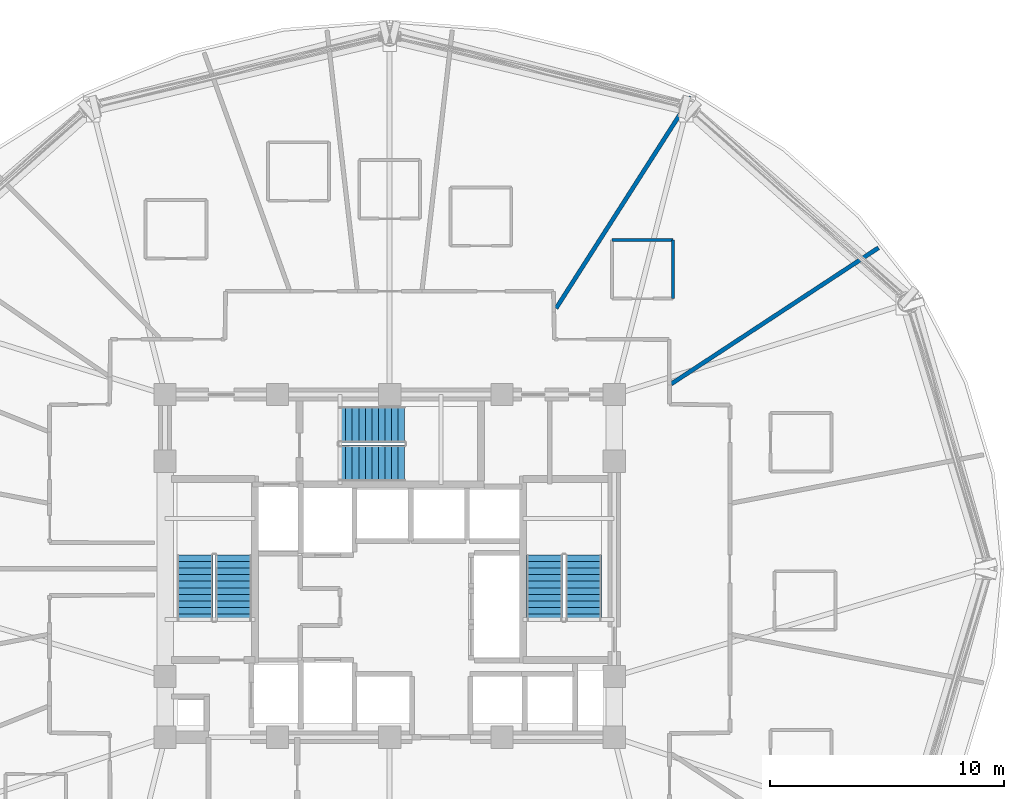
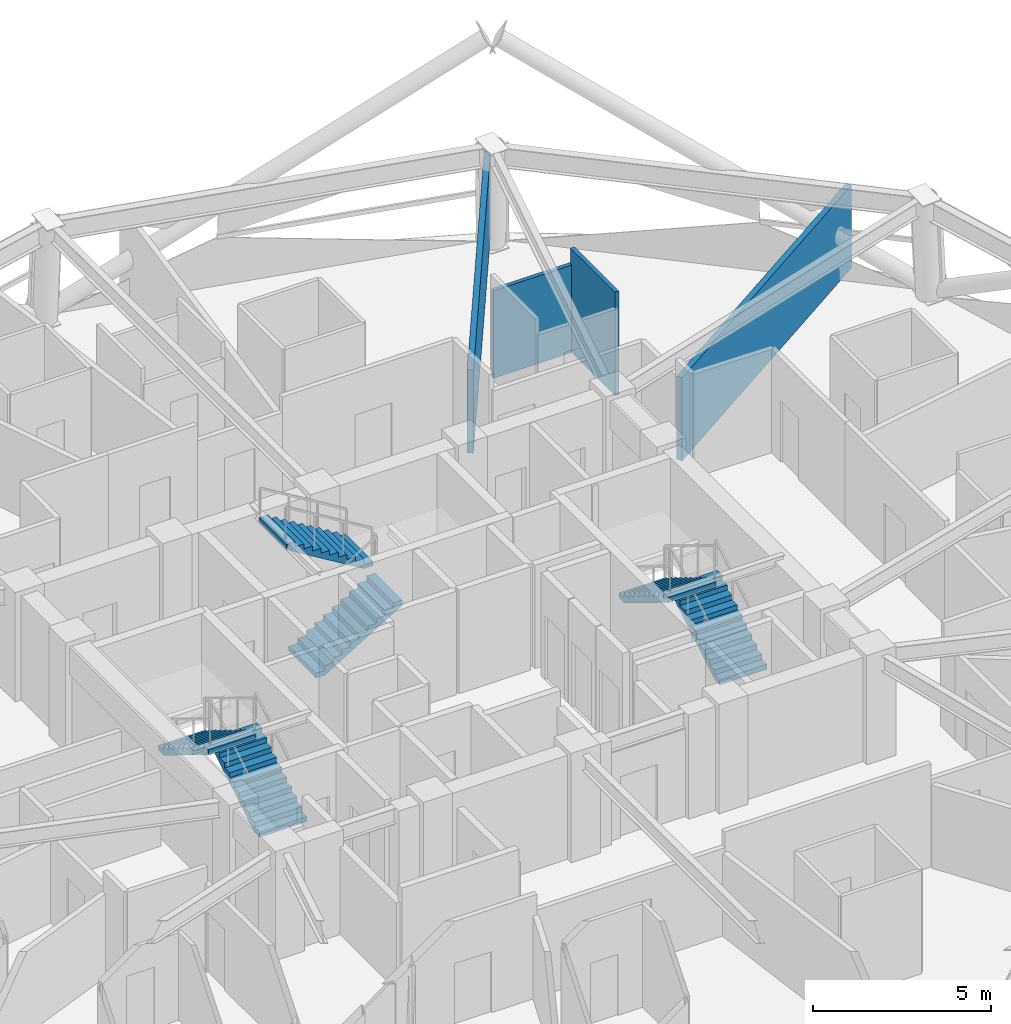
# One storey, part 10 of 14: 6 stair flights, 4 walls, 3 elements without a shape of their own.
"""IFC4 building model written with IfcOpenShell, lengths in metres."""

from ifc_helpers import new_model, si_unit, direction, frame, frame_2d, origin, place, context, subcontext, project, spatial, polyline, rectangle, outline, extrude, material, layer, layer_set, type_object, element, aggregate, save


model = new_model("IFC4")

# Units and contexts
model_context = context("Model", 3, precision=1e-05, world=origin(), true_north=direction((0.0, 1.0)))
body_context = subcontext(model_context, "Body", "Model", "MODEL_VIEW")
ifc_project = project(units=[si_unit("LENGTHUNIT", "METRE"), si_unit("AREAUNIT", "SQUARE_METRE"), si_unit("VOLUMEUNIT", "CUBIC_METRE"), si_unit("PLANEANGLEUNIT", "RADIAN"), si_unit("MASSUNIT", "GRAM", prefix="KILO")], contexts=[model_context])

# Site, building, storey
site_placement = place(None, origin())
site = spatial("IfcSite", under=ifc_project, at=site_placement, CompositionType="ELEMENT")
building_placement = place(site_placement, origin())
building = spatial("IfcBuilding", under=site, at=building_placement, Name="Vantalir Tower", CompositionType="ELEMENT")
storey_placement = place(building_placement, frame((0.0, 0.0, 112.199951171875)))
storey = spatial("IfcBuildingStorey", under=building, at=storey_placement, Name="L27", CompositionType="ELEMENT", Elevation=112.199951171875)

# Walls
ifc_material_1 = material(Name="Moisture-resistant en-suite partition", Category="gypsum")
ifc_layer_1 = layer(ifc_material_1, 0.125)
ifc_layer_set_1 = layer_set([ifc_layer_1], Name="Moisture-resistant en-suite partition")
wall_type_1 = type_object("IfcWallType", Name="WL-BATH-125", PredefinedType="PARTITIONING", material=ifc_layer_set_1)
wall_1_placement = place(storey_placement, frame((41.013916015625, 39.050048828125, 0.0), z_axis=(0.0, 0.0, 1.0), x_axis=(1.0, 0.0, 0.0)))
element("IfcWall", 1, at=wall_1_placement, inside=storey, type_object=wall_type_1, Name="L27 En-suite 02 North Wall", PredefinedType="PARTITIONING", context=body_context, shape_type="SweptSolid", body=[
    extrude(rectangle(XDim=2.60009765625, YDim=0.125, at=frame_2d((1.300048828125, 0.0))), origin(), (0.0, 0.0, 1.0), 3.006103515625),
])
wall_2_placement = place(storey_placement, frame((43.614013671875, 36.550048828125, 0.0), z_axis=(0.0, 0.0, 1.0), x_axis=(0.0, 1.0, 0.0)))
element("IfcWall", 2, at=wall_2_placement, inside=storey, type_object=wall_type_1, Name="L27 En-suite 02 East Wall", PredefinedType="PARTITIONING", context=body_context, shape_type="SweptSolid", body=[
    extrude(rectangle(XDim=2.5, YDim=0.125, at=frame_2d((1.25, 0.0))), origin(), (0.0, 0.0, 1.0), 3.550048828125),
])
ifc_material_2 = material(Name="Twin-stud acoustic fire-rated gypsum partition", Category="gypsum")
ifc_layer_2 = layer(ifc_material_2, 0.179931640625)
ifc_layer_set_2 = layer_set([ifc_layer_2], Name="Twin-stud acoustic fire-rated gypsum partition")
wall_type_2 = type_object("IfcWallType", Name="WL-GUEST-180", PredefinedType="PARTITIONING", material=ifc_layer_set_2)
wall_3_placement = place(storey_placement, frame((43.5400390625, 32.906982421875, 0.0), z_axis=(0.0, 0.0, 1.0), x_axis=(0.835841105824, 0.548971443533, 0.0)))
element("IfcWall", 3, at=wall_3_placement, inside=storey, type_object=wall_type_2, Name="L27 Radial Suite Partition 02", PredefinedType="PARTITIONING", context=body_context, shape_type="SweptSolid", body=[
    extrude(rectangle(XDim=10.596435546875, YDim=0.179931640625, at=frame_2d((5.29833984375, 0.0))), origin(), (0.0, 0.0, 1.0), 2.85107421875),
])
wall_4_placement = place(storey_placement, frame((38.614990234375, 36.138916015625, 0.0), z_axis=(0.0, 0.0, 1.0), x_axis=(0.538256358824, 0.842781165063, 0.0)))
element("IfcWall", 4, at=wall_4_placement, inside=storey, type_object=wall_type_2, Name="L27 Radial Suite Partition 03", PredefinedType="PARTITIONING", context=body_context, shape_type="SweptSolid", body=[
    extrude(rectangle(XDim=10.725341796875, YDim=0.179931640625, at=frame_2d((5.36279296875, 0.0))), origin(), (0.0, 0.0, 1.0), 2.85107421875),
])

# Stair, stair flights
ifc_material_3 = material(Name="Concrete C40/50", Category="concrete")
stair_type = type_object("IfcStairType", Name="STR-CORE-1450", PredefinedType="HALF_TURN_STAIR", material=ifc_material_3)
stair_1_placement = place(storey_placement, origin())
stair_1 = element("IfcStair", 5, at=stair_1_placement, inside=storey, type_object=stair_type, Name="L27 Core Exit Stair 1", PredefinedType="HALF_TURN_STAIR")
stair_flight_type = type_object("IfcStairFlightType", Name="FLT-CORE-1450", PredefinedType="STRAIGHT", material=ifc_material_3)
stair_flight_1_placement = place(storey_placement, frame((24.830078125, 22.7900390625, 0.0), z_axis=(0.0, 0.0, 1.0), x_axis=(0.0, 1.0, 0.0)))
stair_flight_1 = element("IfcStairFlight", 6, at=stair_flight_1_placement, type_object=stair_flight_type, Name="ST1 flight 1", NumberOfRisers=11, NumberOfTreads=10, PredefinedType="STRAIGHT", RiserHeight=0.170454545, TreadLength=0.28, context=body_context, shape_type="SweptSolid", body=[
    extrude(outline(polyline([(0.0, 0.0), (0.0, 0.17041015625), (0.280029296875, 0.17041015625), (0.280029296875, 0.3408203125), (0.56005859375, 0.3408203125), (0.56005859375, 0.511474609375), (0.840087890625, 0.511474609375), (0.840087890625, 0.681884765625), (1.1201171875, 0.681884765625), (1.1201171875, 0.852294921875), (1.39990234375, 0.852294921875), (1.39990234375, 1.022705078125), (1.679931640625, 1.022705078125), (1.679931640625, 1.193115234375), (1.9599609375, 1.193115234375), (1.9599609375, 1.363525390625), (2.239990234375, 1.363525390625), (2.239990234375, 1.5341796875), (2.52001953125, 1.5341796875), (2.52001953125, 1.70458984375), (2.800048828125, 1.70458984375), (2.800048828125, 1.875), (2.800048828125, 1.529052734375), (0.288330078125, 0.0), (0.0, 0.0)])), frame((0.0, 0.77001953125, 0.0), z_axis=(0.0, -1.0, 0.0), x_axis=(1.0, 0.0, 0.0)), (0.0, 0.0, 1.0), 1.5400390625),
])
stair_flight_2_placement = place(storey_placement, frame((23.169921875, 25.590087890625, 1.875), z_axis=(0.0, 0.0, 1.0), x_axis=(0.0, -1.0, 0.0)))
stair_flight_2 = element("IfcStairFlight", 7, at=stair_flight_2_placement, type_object=stair_flight_type, Name="ST1 flight 2", NumberOfRisers=11, NumberOfTreads=10, PredefinedType="STRAIGHT", RiserHeight=0.170454545, TreadLength=0.28, context=body_context, shape_type="SweptSolid", body=[
    extrude(outline(polyline([(0.0, 0.0), (0.0, 0.17041015625), (0.280029296875, 0.17041015625), (0.280029296875, 0.3408203125), (0.56005859375, 0.3408203125), (0.56005859375, 0.511474609375), (0.840087890625, 0.511474609375), (0.840087890625, 0.681884765625), (1.1201171875, 0.681884765625), (1.1201171875, 0.852294921875), (1.39990234375, 0.852294921875), (1.39990234375, 1.022705078125), (1.679931640625, 1.022705078125), (1.679931640625, 1.193115234375), (1.9599609375, 1.193115234375), (1.9599609375, 1.363525390625), (2.239990234375, 1.363525390625), (2.239990234375, 1.5341796875), (2.52001953125, 1.5341796875), (2.52001953125, 1.70458984375), (2.800048828125, 1.70458984375), (2.800048828125, 1.875), (2.800048828125, 1.529052734375), (0.288330078125, 0.0), (0.0, 0.0)])), frame((0.0, 0.77001953125, 0.0), z_axis=(0.0, -1.0, 0.0), x_axis=(1.0, 0.0, 0.0)), (0.0, 0.0, 1.0), 1.5400390625),
])
aggregate(stair_1, [stair_flight_1, stair_flight_2])

stair_2_placement = place(storey_placement, origin())
stair_2 = element("IfcStair", 8, at=stair_2_placement, inside=storey, type_object=stair_type, Name="L27 Core Exit Stair 2", PredefinedType="HALF_TURN_STAIR")
stair_flight_3_placement = place(storey_placement, frame((39.780029296875, 22.7900390625, 0.0), z_axis=(0.0, 0.0, 1.0), x_axis=(0.0, 1.0, 0.0)))
stair_flight_3 = element("IfcStairFlight", 9, at=stair_flight_3_placement, type_object=stair_flight_type, Name="ST2 flight 1", NumberOfRisers=11, NumberOfTreads=10, PredefinedType="STRAIGHT", RiserHeight=0.170454545, TreadLength=0.28, context=body_context, shape_type="SweptSolid", body=[
    extrude(outline(polyline([(0.0, 0.0), (0.0, 0.17041015625), (0.280029296875, 0.17041015625), (0.280029296875, 0.3408203125), (0.56005859375, 0.3408203125), (0.56005859375, 0.511474609375), (0.840087890625, 0.511474609375), (0.840087890625, 0.681884765625), (1.1201171875, 0.681884765625), (1.1201171875, 0.852294921875), (1.39990234375, 0.852294921875), (1.39990234375, 1.022705078125), (1.679931640625, 1.022705078125), (1.679931640625, 1.193115234375), (1.9599609375, 1.193115234375), (1.9599609375, 1.363525390625), (2.239990234375, 1.363525390625), (2.239990234375, 1.5341796875), (2.52001953125, 1.5341796875), (2.52001953125, 1.70458984375), (2.800048828125, 1.70458984375), (2.800048828125, 1.875), (2.800048828125, 1.529052734375), (0.288330078125, 0.0), (0.0, 0.0)])), frame((0.0, 0.77001953125, 0.0), z_axis=(0.0, -1.0, 0.0), x_axis=(1.0, 0.0, 0.0)), (0.0, 0.0, 1.0), 1.5400390625),
])
stair_flight_4_placement = place(storey_placement, frame((38.1201171875, 25.590087890625, 1.875), z_axis=(0.0, 0.0, 1.0), x_axis=(0.0, -1.0, 0.0)))
stair_flight_4 = element("IfcStairFlight", 10, at=stair_flight_4_placement, type_object=stair_flight_type, Name="ST2 flight 2", NumberOfRisers=11, NumberOfTreads=10, PredefinedType="STRAIGHT", RiserHeight=0.170454545, TreadLength=0.28, context=body_context, shape_type="SweptSolid", body=[
    extrude(outline(polyline([(0.0, 0.0), (0.0, 0.17041015625), (0.280029296875, 0.17041015625), (0.280029296875, 0.3408203125), (0.56005859375, 0.3408203125), (0.56005859375, 0.511474609375), (0.840087890625, 0.511474609375), (0.840087890625, 0.681884765625), (1.1201171875, 0.681884765625), (1.1201171875, 0.852294921875), (1.39990234375, 0.852294921875), (1.39990234375, 1.022705078125), (1.679931640625, 1.022705078125), (1.679931640625, 1.193115234375), (1.9599609375, 1.193115234375), (1.9599609375, 1.363525390625), (2.239990234375, 1.363525390625), (2.239990234375, 1.5341796875), (2.52001953125, 1.5341796875), (2.52001953125, 1.70458984375), (2.800048828125, 1.70458984375), (2.800048828125, 1.875), (2.800048828125, 1.529052734375), (0.288330078125, 0.0), (0.0, 0.0)])), frame((0.0, 0.77001953125, 0.0), z_axis=(0.0, -1.0, 0.0), x_axis=(1.0, 0.0, 0.0)), (0.0, 0.0, 1.0), 1.5400390625),
])
aggregate(stair_2, [stair_flight_3, stair_flight_4])

stair_3_placement = place(storey_placement, origin())
stair_3 = element("IfcStair", 11, at=stair_3_placement, inside=storey, type_object=stair_type, Name="L27 Core Exit Stair 3", PredefinedType="HALF_TURN_STAIR")
stair_flight_5_placement = place(storey_placement, frame((29.340087890625, 29.52001953125, 0.0), z_axis=(0.0, 0.0, 1.0), x_axis=(1.0, 0.0, 0.0)))
stair_flight_5 = element("IfcStairFlight", 12, at=stair_flight_5_placement, type_object=stair_flight_type, Name="ST3 flight 1", NumberOfRisers=11, NumberOfTreads=10, PredefinedType="STRAIGHT", RiserHeight=0.170454545, TreadLength=0.28, context=body_context, shape_type="SweptSolid", body=[
    extrude(outline(polyline([(0.0, 0.0), (0.0, 0.17041015625), (0.280029296875, 0.17041015625), (0.280029296875, 0.3408203125), (0.56005859375, 0.3408203125), (0.56005859375, 0.511474609375), (0.840087890625, 0.511474609375), (0.840087890625, 0.681884765625), (1.1201171875, 0.681884765625), (1.1201171875, 0.852294921875), (1.39990234375, 0.852294921875), (1.39990234375, 1.022705078125), (1.679931640625, 1.022705078125), (1.679931640625, 1.193115234375), (1.9599609375, 1.193115234375), (1.9599609375, 1.363525390625), (2.239990234375, 1.363525390625), (2.239990234375, 1.5341796875), (2.52001953125, 1.5341796875), (2.52001953125, 1.70458984375), (2.800048828125, 1.70458984375), (2.800048828125, 1.875), (2.800048828125, 1.529052734375), (0.288330078125, 0.0), (0.0, 0.0)])), frame((0.0, 0.77001953125, 0.0), z_axis=(0.0, -1.0, 0.0), x_axis=(1.0, 0.0, 0.0)), (0.0, 0.0, 1.0), 1.5400390625),
])
stair_flight_6_placement = place(storey_placement, frame((32.139892578125, 31.179931640625, 1.875), z_axis=(0.0, 0.0, 1.0), x_axis=(-1.0, 0.0, 0.0)))
stair_flight_6 = element("IfcStairFlight", 13, at=stair_flight_6_placement, type_object=stair_flight_type, Name="ST3 flight 2", NumberOfRisers=11, NumberOfTreads=10, PredefinedType="STRAIGHT", RiserHeight=0.170454545, TreadLength=0.28, context=body_context, shape_type="SweptSolid", body=[
    extrude(outline(polyline([(0.0, 0.0), (0.0, 0.17041015625), (0.280029296875, 0.17041015625), (0.280029296875, 0.3408203125), (0.56005859375, 0.3408203125), (0.56005859375, 0.511474609375), (0.840087890625, 0.511474609375), (0.840087890625, 0.681884765625), (1.1201171875, 0.681884765625), (1.1201171875, 0.852294921875), (1.39990234375, 0.852294921875), (1.39990234375, 1.022705078125), (1.679931640625, 1.022705078125), (1.679931640625, 1.193115234375), (1.9599609375, 1.193115234375), (1.9599609375, 1.363525390625), (2.239990234375, 1.363525390625), (2.239990234375, 1.5341796875), (2.52001953125, 1.5341796875), (2.52001953125, 1.70458984375), (2.800048828125, 1.70458984375), (2.800048828125, 1.875), (2.800048828125, 1.529052734375), (0.288330078125, 0.0), (0.0, 0.0)])), frame((0.0, 0.77001953125, 0.0), z_axis=(0.0, -1.0, 0.0), x_axis=(1.0, 0.0, 0.0)), (0.0, 0.0, 1.0), 1.5400390625),
])
aggregate(stair_3, [stair_flight_5, stair_flight_6])

save(model, "model.ifc")
